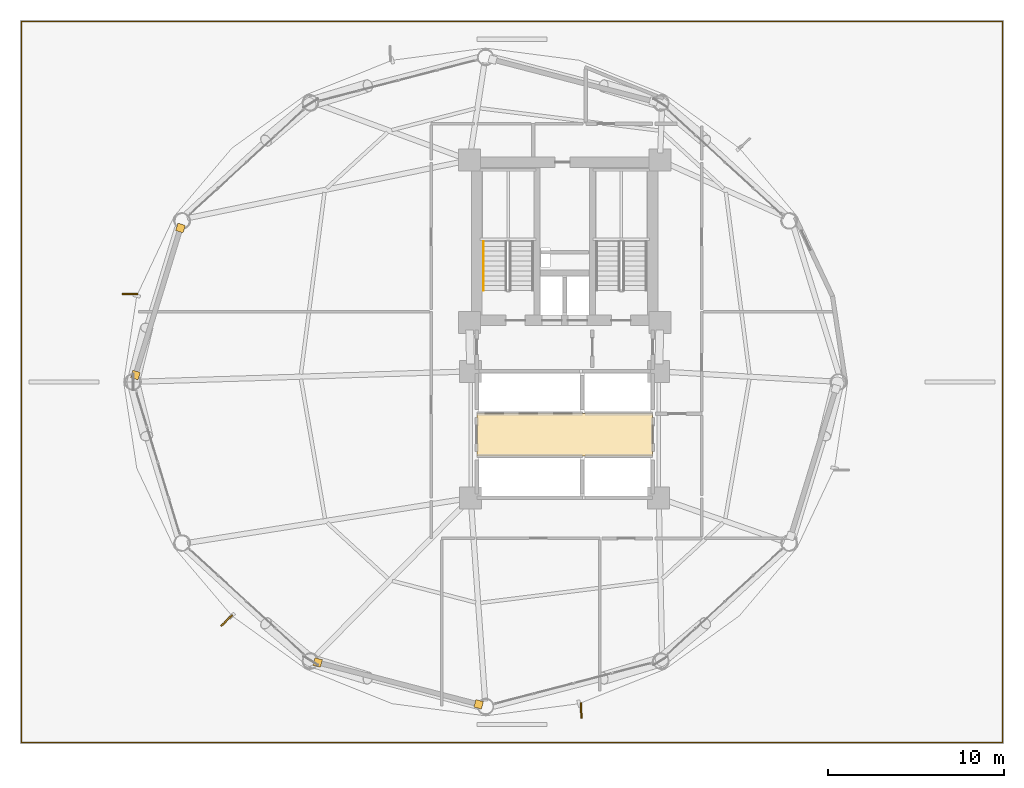
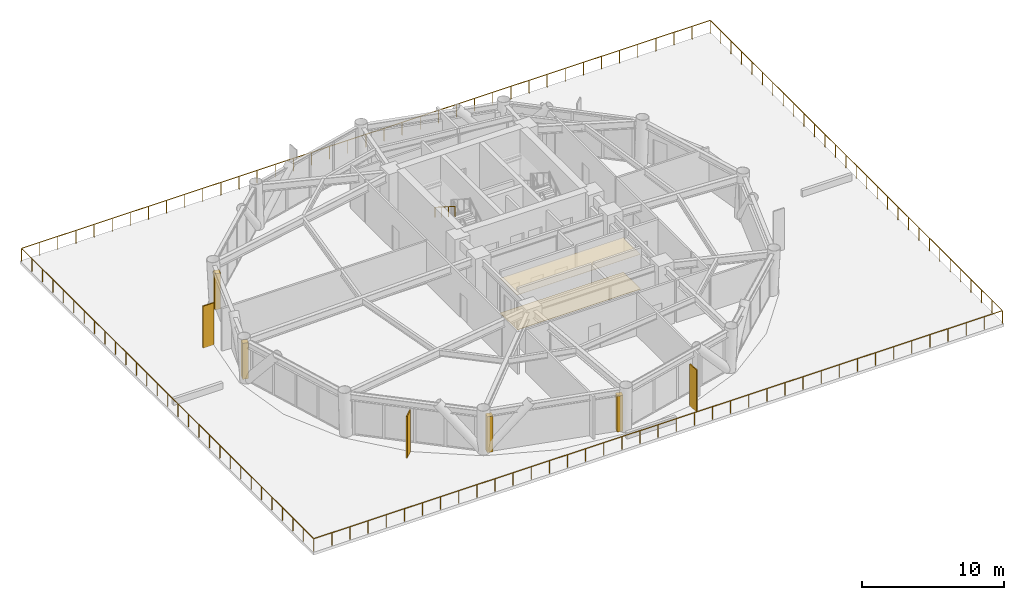
# One storey, part 22 of 24: 6 coverings, 3 shading devices, 2 railings.
"""IFC4 building model written with IfcOpenShell, lengths in metres."""

from ifc_helpers import new_model, si_unit, direction, frame, origin, origin_2d, place, context, subcontext, project, spatial, polyline, rectangle, outline, extrude, source, transform, mapped, material, layer, layer_set, type_object, type_shapes, element, save


model = new_model("IFC4")

# Units and contexts
model_context = context("Model", 3, precision=1e-05, world=origin(), true_north=direction((0.0, 1.0)))
body_context = subcontext(model_context, "Body", "Model", "MODEL_VIEW")
ifc_project = project(units=[si_unit("LENGTHUNIT", "METRE"), si_unit("AREAUNIT", "SQUARE_METRE"), si_unit("VOLUMEUNIT", "CUBIC_METRE"), si_unit("PLANEANGLEUNIT", "RADIAN"), si_unit("MASSUNIT", "GRAM", prefix="KILO")], contexts=[model_context])

# Site, building, storey
site_placement = place(None, origin())
site = spatial("IfcSite", under=ifc_project, at=site_placement, CompositionType="ELEMENT")
building_placement = place(site_placement, origin())
building = spatial("IfcBuilding", under=site, at=building_placement, Name="Varnakorn Sky Granary", CompositionType="ELEMENT")
storey_placement = place(building_placement, frame((0.0, 0.0, 27.60009765625)))
storey = spatial("IfcBuildingStorey", under=building, at=storey_placement, Name="L06", CompositionType="ELEMENT", Elevation=27.60009765625)

# Coverings
ifc_material_1 = material(Name="Perforated Acoustic Mineral-Fibre Ceiling", Category="gypsum")
ifc_layer_1 = layer(ifc_material_1, 0.02001953125, Name="Perforated Acoustic Mineral-Fibre Ceiling")
ifc_layer_set_1 = layer_set([ifc_layer_1], Name="Perforated Acoustic Mineral-Fibre Ceiling")
covering_type_1 = type_object("IfcCoveringType", Name="CV-CEIL-20", PredefinedType="CEILING", material=ifc_layer_set_1)
covering_1_placement = place(storey_placement, frame((0.0, 0.0, 2.989990234375)))
element("IfcCovering", 1, at=covering_1_placement, inside=storey, type_object=covering_type_1, Name="Lift Lobby Perforated Acoustic Ceiling L06", PredefinedType="CEILING", context=body_context, shape_type="SweptSolid", body=[
    extrude(outline(polyline([(-2.0, -4.199951171875), (8.0, -4.199951171875), (8.0, -1.800048828125), (-2.0, -1.800048828125), (-2.0, -4.199951171875)])), origin(), (0.0, 0.0, 1.0), 0.02001953125),
])
ifc_material_2 = material(Name="Honed Epoxy Terrazzo Topping", Category="concrete")
ifc_layer_2 = layer(ifc_material_2, 0.030029296875, Name="Honed Epoxy Terrazzo Topping")
ifc_layer_set_2 = layer_set([ifc_layer_2], Name="Honed Epoxy Terrazzo Topping")
covering_type_2 = type_object("IfcCoveringType", Name="CV-FLOR-30", PredefinedType="FLOORING", material=ifc_layer_set_2)
covering_2_placement = place(storey_placement, origin())
element("IfcCovering", 2, at=covering_2_placement, inside=storey, type_object=covering_type_2, Name="Lift Lobby Terrazzo Floor Finish L06", PredefinedType="FLOORING", context=body_context, shape_type="SweptSolid", body=[
    extrude(outline(polyline([(-2.0, -4.199951171875), (8.0, -4.199951171875), (8.0, -1.800048828125), (-2.0, -1.800048828125), (-2.0, -4.199951171875)])), origin(), (0.0, 0.0, 1.0), 0.02978515625),
])

# Railings
ifc_material_3 = material(Name="Anodised Bronze Aluminium Alloy 6063-T6", Category="aluminium")
railing_type_1 = type_object("IfcRailingType", Name="RL-BAL-1120", PredefinedType="BALUSTRADE", material=ifc_material_3)
railing_1_placement = place(storey_placement, frame((-27.919921875, -20.52001953125, 0.0)))
element("IfcRailing", 3, at=railing_1_placement, inside=storey, type_object=railing_type_1, Name="Podium Roof Terrace Guard Balustrade L06", PredefinedType="BALUSTRADE", context=body_context, shape_type="SweptSolid", body=[
    extrude(rectangle(XDim=0.048095703125, YDim=0.048095703125, at=origin_2d()), frame((0.028076171875, 0.0, 1.09619140625), z_axis=(1.0, 0.0, 0.0), x_axis=(0.0, 1.0, 0.0)), (0.0, 0.0, 1.0), 55.783935546875),
    extrude(rectangle(XDim=0.048095703125, YDim=0.048095703125, at=origin_2d()), frame((55.83984375, 0.028076171875, 1.09619140625), z_axis=(0.0, 1.0, 0.0), x_axis=(-1.0, 0.0, 0.0)), (0.0, 0.0, 1.0), 40.984130859375),
    extrude(rectangle(XDim=0.048095703125, YDim=0.048095703125, at=origin_2d()), frame((55.811767578125, 41.0400390625, 1.09619140625), z_axis=(-1.0, 0.0, 0.0), x_axis=(0.0, -1.0, 0.0)), (0.0, 0.0, 1.0), 55.783935546875),
    extrude(rectangle(XDim=0.048095703125, YDim=0.048095703125, at=origin_2d()), frame((0.0, 41.011962890625, 1.09619140625), z_axis=(0.0, -1.0, 0.0), x_axis=(1.0, 0.0, 0.0)), (0.0, 0.0, 1.0), 40.984130859375),
    extrude(rectangle(XDim=0.0419921875, YDim=0.0419921875, at=origin_2d()), origin(), (0.0, 0.0, 1.0), 1.068115234375),
    extrude(rectangle(XDim=0.0419921875, YDim=0.0419921875, at=origin_2d()), frame((1.469482421875, 0.0, 0.0)), (0.0, 0.0, 1.0), 1.068115234375),
    extrude(rectangle(XDim=0.0419921875, YDim=0.0419921875, at=origin_2d()), frame((2.93896484375, 0.0, 0.0)), (0.0, 0.0, 1.0), 1.068115234375),
    extrude(rectangle(XDim=0.0419921875, YDim=0.0419921875, at=origin_2d()), frame((4.408447265625, 0.0, 0.0)), (0.0, 0.0, 1.0), 1.068115234375),
    extrude(rectangle(XDim=0.0419921875, YDim=0.0419921875, at=origin_2d()), frame((5.8779296875, 0.0, 0.0)), (0.0, 0.0, 1.0), 1.068115234375),
    extrude(rectangle(XDim=0.0419921875, YDim=0.0419921875, at=origin_2d()), frame((7.347412109375, 0.0, 0.0)), (0.0, 0.0, 1.0), 1.068115234375),
    extrude(rectangle(XDim=0.0419921875, YDim=0.0419921875, at=origin_2d()), frame((8.81689453125, 0.0, 0.0)), (0.0, 0.0, 1.0), 1.068115234375),
    extrude(rectangle(XDim=0.0419921875, YDim=0.0419921875, at=origin_2d()), frame((10.286376953125, 0.0, 0.0)), (0.0, 0.0, 1.0), 1.068115234375),
    extrude(rectangle(XDim=0.0419921875, YDim=0.0419921875, at=origin_2d()), frame((11.755859375, 0.0, 0.0)), (0.0, 0.0, 1.0), 1.068115234375),
    extrude(rectangle(XDim=0.0419921875, YDim=0.0419921875, at=origin_2d()), frame((13.225341796875, 0.0, 0.0)), (0.0, 0.0, 1.0), 1.068115234375),
    extrude(rectangle(XDim=0.0419921875, YDim=0.0419921875, at=origin_2d()), frame((14.694580078125, 0.0, 0.0)), (0.0, 0.0, 1.0), 1.068115234375),
    extrude(rectangle(XDim=0.0419921875, YDim=0.0419921875, at=origin_2d()), frame((16.1640625, 0.0, 0.0)), (0.0, 0.0, 1.0), 1.068115234375),
    extrude(rectangle(XDim=0.0419921875, YDim=0.0419921875, at=origin_2d()), frame((17.633544921875, 0.0, 0.0)), (0.0, 0.0, 1.0), 1.068115234375),
    extrude(rectangle(XDim=0.0419921875, YDim=0.0419921875, at=origin_2d()), frame((19.10302734375, 0.0, 0.0)), (0.0, 0.0, 1.0), 1.068115234375),
    extrude(rectangle(XDim=0.0419921875, YDim=0.0419921875, at=origin_2d()), frame((20.572509765625, 0.0, 0.0)), (0.0, 0.0, 1.0), 1.068115234375),
    extrude(rectangle(XDim=0.0419921875, YDim=0.0419921875, at=origin_2d()), frame((22.0419921875, 0.0, 0.0)), (0.0, 0.0, 1.0), 1.068115234375),
    extrude(rectangle(XDim=0.0419921875, YDim=0.0419921875, at=origin_2d()), frame((23.511474609375, 0.0, 0.0)), (0.0, 0.0, 1.0), 1.068115234375),
    extrude(rectangle(XDim=0.0419921875, YDim=0.0419921875, at=origin_2d()), frame((24.98095703125, 0.0, 0.0)), (0.0, 0.0, 1.0), 1.068115234375),
    extrude(rectangle(XDim=0.0419921875, YDim=0.0419921875, at=origin_2d()), frame((26.450439453125, 0.0, 0.0)), (0.0, 0.0, 1.0), 1.068115234375),
    extrude(rectangle(XDim=0.0419921875, YDim=0.0419921875, at=origin_2d()), frame((27.919921875, 0.0, 0.0)), (0.0, 0.0, 1.0), 1.068115234375),
    extrude(rectangle(XDim=0.0419921875, YDim=0.0419921875, at=origin_2d()), frame((29.389404296875, 0.0, 0.0)), (0.0, 0.0, 1.0), 1.068115234375),
    extrude(rectangle(XDim=0.0419921875, YDim=0.0419921875, at=origin_2d()), frame((30.85888671875, 0.0, 0.0)), (0.0, 0.0, 1.0), 1.068115234375),
    extrude(rectangle(XDim=0.0419921875, YDim=0.0419921875, at=origin_2d()), frame((32.328369140625, 0.0, 0.0)), (0.0, 0.0, 1.0), 1.068115234375),
    extrude(rectangle(XDim=0.0419921875, YDim=0.0419921875, at=origin_2d()), frame((33.7978515625, 0.0, 0.0)), (0.0, 0.0, 1.0), 1.068115234375),
    extrude(rectangle(XDim=0.0419921875, YDim=0.0419921875, at=origin_2d()), frame((35.267333984375, 0.0, 0.0)), (0.0, 0.0, 1.0), 1.068115234375),
    extrude(rectangle(XDim=0.0419921875, YDim=0.0419921875, at=origin_2d()), frame((36.73681640625, 0.0, 0.0)), (0.0, 0.0, 1.0), 1.068115234375),
    extrude(rectangle(XDim=0.0419921875, YDim=0.0419921875, at=origin_2d()), frame((38.206298828125, 0.0, 0.0)), (0.0, 0.0, 1.0), 1.068115234375),
    extrude(rectangle(XDim=0.0419921875, YDim=0.0419921875, at=origin_2d()), frame((39.67578125, 0.0, 0.0)), (0.0, 0.0, 1.0), 1.068115234375),
    extrude(rectangle(XDim=0.0419921875, YDim=0.0419921875, at=origin_2d()), frame((41.145263671875, 0.0, 0.0)), (0.0, 0.0, 1.0), 1.068115234375),
    extrude(rectangle(XDim=0.0419921875, YDim=0.0419921875, at=origin_2d()), frame((42.614501953125, 0.0, 0.0)), (0.0, 0.0, 1.0), 1.068115234375),
    extrude(rectangle(XDim=0.0419921875, YDim=0.0419921875, at=origin_2d()), frame((44.083984375, 0.0, 0.0)), (0.0, 0.0, 1.0), 1.068115234375),
    extrude(rectangle(XDim=0.0419921875, YDim=0.0419921875, at=origin_2d()), frame((45.553466796875, 0.0, 0.0)), (0.0, 0.0, 1.0), 1.068115234375),
    extrude(rectangle(XDim=0.0419921875, YDim=0.0419921875, at=origin_2d()), frame((47.02294921875, 0.0, 0.0)), (0.0, 0.0, 1.0), 1.068115234375),
    extrude(rectangle(XDim=0.0419921875, YDim=0.0419921875, at=origin_2d()), frame((48.492431640625, 0.0, 0.0)), (0.0, 0.0, 1.0), 1.068115234375),
    extrude(rectangle(XDim=0.0419921875, YDim=0.0419921875, at=origin_2d()), frame((49.9619140625, 0.0, 0.0)), (0.0, 0.0, 1.0), 1.068115234375),
    extrude(rectangle(XDim=0.0419921875, YDim=0.0419921875, at=origin_2d()), frame((51.431396484375, 0.0, 0.0)), (0.0, 0.0, 1.0), 1.068115234375),
    extrude(rectangle(XDim=0.0419921875, YDim=0.0419921875, at=origin_2d()), frame((52.90087890625, 0.0, 0.0)), (0.0, 0.0, 1.0), 1.068115234375),
    extrude(rectangle(XDim=0.0419921875, YDim=0.0419921875, at=origin_2d()), frame((54.370361328125, 0.0, 0.0)), (0.0, 0.0, 1.0), 1.068115234375),
    extrude(rectangle(XDim=0.0419921875, YDim=0.0419921875, at=origin_2d()), frame((55.83984375, 0.0, 0.0)), (0.0, 0.0, 1.0), 1.068115234375),
    extrude(rectangle(XDim=0.0419921875, YDim=0.0419921875, at=origin_2d()), frame((55.83984375, 1.4658203125, 0.0)), (0.0, 0.0, 1.0), 1.068115234375),
    extrude(rectangle(XDim=0.0419921875, YDim=0.0419921875, at=origin_2d()), frame((55.83984375, 2.931396484375, 0.0)), (0.0, 0.0, 1.0), 1.068115234375),
    extrude(rectangle(XDim=0.0419921875, YDim=0.0419921875, at=origin_2d()), frame((55.83984375, 4.397216796875, 0.0)), (0.0, 0.0, 1.0), 1.068115234375),
    extrude(rectangle(XDim=0.0419921875, YDim=0.0419921875, at=origin_2d()), frame((55.83984375, 5.86279296875, 0.0)), (0.0, 0.0, 1.0), 1.068115234375),
    extrude(rectangle(XDim=0.0419921875, YDim=0.0419921875, at=origin_2d()), frame((55.83984375, 7.32861328125, 0.0)), (0.0, 0.0, 1.0), 1.068115234375),
    extrude(rectangle(XDim=0.0419921875, YDim=0.0419921875, at=origin_2d()), frame((55.83984375, 8.794189453125, 0.0)), (0.0, 0.0, 1.0), 1.068115234375),
    extrude(rectangle(XDim=0.0419921875, YDim=0.0419921875, at=origin_2d()), frame((55.83984375, 10.260009765625, 0.0)), (0.0, 0.0, 1.0), 1.068115234375),
    extrude(rectangle(XDim=0.0419921875, YDim=0.0419921875, at=origin_2d()), frame((55.83984375, 11.725830078125, 0.0)), (0.0, 0.0, 1.0), 1.068115234375),
    extrude(rectangle(XDim=0.0419921875, YDim=0.0419921875, at=origin_2d()), frame((55.83984375, 13.19140625, 0.0)), (0.0, 0.0, 1.0), 1.068115234375),
    extrude(rectangle(XDim=0.0419921875, YDim=0.0419921875, at=origin_2d()), frame((55.83984375, 14.6572265625, 0.0)), (0.0, 0.0, 1.0), 1.068115234375),
    extrude(rectangle(XDim=0.0419921875, YDim=0.0419921875, at=origin_2d()), frame((55.83984375, 16.122802734375, 0.0)), (0.0, 0.0, 1.0), 1.068115234375),
    extrude(rectangle(XDim=0.0419921875, YDim=0.0419921875, at=origin_2d()), frame((55.83984375, 17.588623046875, 0.0)), (0.0, 0.0, 1.0), 1.068115234375),
    extrude(rectangle(XDim=0.0419921875, YDim=0.0419921875, at=origin_2d()), frame((55.83984375, 19.05419921875, 0.0)), (0.0, 0.0, 1.0), 1.068115234375),
    extrude(rectangle(XDim=0.0419921875, YDim=0.0419921875, at=origin_2d()), frame((55.83984375, 20.52001953125, 0.0)), (0.0, 0.0, 1.0), 1.068115234375),
    extrude(rectangle(XDim=0.0419921875, YDim=0.0419921875, at=origin_2d()), frame((55.83984375, 21.98583984375, 0.0)), (0.0, 0.0, 1.0), 1.068115234375),
    extrude(rectangle(XDim=0.0419921875, YDim=0.0419921875, at=origin_2d()), frame((55.83984375, 23.451416015625, 0.0)), (0.0, 0.0, 1.0), 1.068115234375),
    extrude(rectangle(XDim=0.0419921875, YDim=0.0419921875, at=origin_2d()), frame((55.83984375, 24.917236328125, 0.0)), (0.0, 0.0, 1.0), 1.068115234375),
    extrude(rectangle(XDim=0.0419921875, YDim=0.0419921875, at=origin_2d()), frame((55.83984375, 26.3828125, 0.0)), (0.0, 0.0, 1.0), 1.068115234375),
    extrude(rectangle(XDim=0.0419921875, YDim=0.0419921875, at=origin_2d()), frame((55.83984375, 27.8486328125, 0.0)), (0.0, 0.0, 1.0), 1.068115234375),
    extrude(rectangle(XDim=0.0419921875, YDim=0.0419921875, at=origin_2d()), frame((55.83984375, 29.314208984375, 0.0)), (0.0, 0.0, 1.0), 1.068115234375),
    extrude(rectangle(XDim=0.0419921875, YDim=0.0419921875, at=origin_2d()), frame((55.83984375, 30.780029296875, 0.0)), (0.0, 0.0, 1.0), 1.068115234375),
    extrude(rectangle(XDim=0.0419921875, YDim=0.0419921875, at=origin_2d()), frame((55.83984375, 32.245849609375, 0.0)), (0.0, 0.0, 1.0), 1.068115234375),
    extrude(rectangle(XDim=0.0419921875, YDim=0.0419921875, at=origin_2d()), frame((55.83984375, 33.71142578125, 0.0)), (0.0, 0.0, 1.0), 1.068115234375),
    extrude(rectangle(XDim=0.0419921875, YDim=0.0419921875, at=origin_2d()), frame((55.83984375, 35.17724609375, 0.0)), (0.0, 0.0, 1.0), 1.068115234375),
    extrude(rectangle(XDim=0.0419921875, YDim=0.0419921875, at=origin_2d()), frame((55.83984375, 36.642822265625, 0.0)), (0.0, 0.0, 1.0), 1.068115234375),
    extrude(rectangle(XDim=0.0419921875, YDim=0.0419921875, at=origin_2d()), frame((55.83984375, 38.108642578125, 0.0)), (0.0, 0.0, 1.0), 1.068115234375),
    extrude(rectangle(XDim=0.0419921875, YDim=0.0419921875, at=origin_2d()), frame((55.83984375, 39.57421875, 0.0)), (0.0, 0.0, 1.0), 1.068115234375),
    extrude(rectangle(XDim=0.0419921875, YDim=0.0419921875, at=origin_2d()), frame((55.83984375, 41.0400390625, 0.0)), (0.0, 0.0, 1.0), 1.068115234375),
    extrude(rectangle(XDim=0.0419921875, YDim=0.0419921875, at=origin_2d()), frame((54.370361328125, 41.0400390625, 0.0)), (0.0, 0.0, 1.0), 1.068115234375),
    extrude(rectangle(XDim=0.0419921875, YDim=0.0419921875, at=origin_2d()), frame((52.90087890625, 41.0400390625, 0.0)), (0.0, 0.0, 1.0), 1.068115234375),
    extrude(rectangle(XDim=0.0419921875, YDim=0.0419921875, at=origin_2d()), frame((51.431396484375, 41.0400390625, 0.0)), (0.0, 0.0, 1.0), 1.068115234375),
    extrude(rectangle(XDim=0.0419921875, YDim=0.0419921875, at=origin_2d()), frame((49.9619140625, 41.0400390625, 0.0)), (0.0, 0.0, 1.0), 1.068115234375),
    extrude(rectangle(XDim=0.0419921875, YDim=0.0419921875, at=origin_2d()), frame((48.492431640625, 41.0400390625, 0.0)), (0.0, 0.0, 1.0), 1.068115234375),
    extrude(rectangle(XDim=0.0419921875, YDim=0.0419921875, at=origin_2d()), frame((47.02294921875, 41.0400390625, 0.0)), (0.0, 0.0, 1.0), 1.068115234375),
    extrude(rectangle(XDim=0.0419921875, YDim=0.0419921875, at=origin_2d()), frame((45.553466796875, 41.0400390625, 0.0)), (0.0, 0.0, 1.0), 1.068115234375),
    extrude(rectangle(XDim=0.0419921875, YDim=0.0419921875, at=origin_2d()), frame((44.083984375, 41.0400390625, 0.0)), (0.0, 0.0, 1.0), 1.068115234375),
    extrude(rectangle(XDim=0.0419921875, YDim=0.0419921875, at=origin_2d()), frame((42.614501953125, 41.0400390625, 0.0)), (0.0, 0.0, 1.0), 1.068115234375),
    extrude(rectangle(XDim=0.0419921875, YDim=0.0419921875, at=origin_2d()), frame((41.145263671875, 41.0400390625, 0.0)), (0.0, 0.0, 1.0), 1.068115234375),
    extrude(rectangle(XDim=0.0419921875, YDim=0.0419921875, at=origin_2d()), frame((39.67578125, 41.0400390625, 0.0)), (0.0, 0.0, 1.0), 1.068115234375),
    extrude(rectangle(XDim=0.0419921875, YDim=0.0419921875, at=origin_2d()), frame((38.206298828125, 41.0400390625, 0.0)), (0.0, 0.0, 1.0), 1.068115234375),
    extrude(rectangle(XDim=0.0419921875, YDim=0.0419921875, at=origin_2d()), frame((36.73681640625, 41.0400390625, 0.0)), (0.0, 0.0, 1.0), 1.068115234375),
    extrude(rectangle(XDim=0.0419921875, YDim=0.0419921875, at=origin_2d()), frame((35.267333984375, 41.0400390625, 0.0)), (0.0, 0.0, 1.0), 1.068115234375),
    extrude(rectangle(XDim=0.0419921875, YDim=0.0419921875, at=origin_2d()), frame((33.7978515625, 41.0400390625, 0.0)), (0.0, 0.0, 1.0), 1.068115234375),
    extrude(rectangle(XDim=0.0419921875, YDim=0.0419921875, at=origin_2d()), frame((32.328369140625, 41.0400390625, 0.0)), (0.0, 0.0, 1.0), 1.068115234375),
    extrude(rectangle(XDim=0.0419921875, YDim=0.0419921875, at=origin_2d()), frame((30.85888671875, 41.0400390625, 0.0)), (0.0, 0.0, 1.0), 1.068115234375),
    extrude(rectangle(XDim=0.0419921875, YDim=0.0419921875, at=origin_2d()), frame((29.389404296875, 41.0400390625, 0.0)), (0.0, 0.0, 1.0), 1.068115234375),
    extrude(rectangle(XDim=0.0419921875, YDim=0.0419921875, at=origin_2d()), frame((27.919921875, 41.0400390625, 0.0)), (0.0, 0.0, 1.0), 1.068115234375),
    extrude(rectangle(XDim=0.0419921875, YDim=0.0419921875, at=origin_2d()), frame((26.450439453125, 41.0400390625, 0.0)), (0.0, 0.0, 1.0), 1.068115234375),
    extrude(rectangle(XDim=0.0419921875, YDim=0.0419921875, at=origin_2d()), frame((24.98095703125, 41.0400390625, 0.0)), (0.0, 0.0, 1.0), 1.068115234375),
    extrude(rectangle(XDim=0.0419921875, YDim=0.0419921875, at=origin_2d()), frame((23.511474609375, 41.0400390625, 0.0)), (0.0, 0.0, 1.0), 1.068115234375),
    extrude(rectangle(XDim=0.0419921875, YDim=0.0419921875, at=origin_2d()), frame((22.0419921875, 41.0400390625, 0.0)), (0.0, 0.0, 1.0), 1.068115234375),
    extrude(rectangle(XDim=0.0419921875, YDim=0.0419921875, at=origin_2d()), frame((20.572509765625, 41.0400390625, 0.0)), (0.0, 0.0, 1.0), 1.068115234375),
    extrude(rectangle(XDim=0.0419921875, YDim=0.0419921875, at=origin_2d()), frame((19.10302734375, 41.0400390625, 0.0)), (0.0, 0.0, 1.0), 1.068115234375),
    extrude(rectangle(XDim=0.0419921875, YDim=0.0419921875, at=origin_2d()), frame((17.633544921875, 41.0400390625, 0.0)), (0.0, 0.0, 1.0), 1.068115234375),
    extrude(rectangle(XDim=0.0419921875, YDim=0.0419921875, at=origin_2d()), frame((16.1640625, 41.0400390625, 0.0)), (0.0, 0.0, 1.0), 1.068115234375),
    extrude(rectangle(XDim=0.0419921875, YDim=0.0419921875, at=origin_2d()), frame((14.694580078125, 41.0400390625, 0.0)), (0.0, 0.0, 1.0), 1.068115234375),
    extrude(rectangle(XDim=0.0419921875, YDim=0.0419921875, at=origin_2d()), frame((13.225341796875, 41.0400390625, 0.0)), (0.0, 0.0, 1.0), 1.068115234375),
    extrude(rectangle(XDim=0.0419921875, YDim=0.0419921875, at=origin_2d()), frame((11.755859375, 41.0400390625, 0.0)), (0.0, 0.0, 1.0), 1.068115234375),
    extrude(rectangle(XDim=0.0419921875, YDim=0.0419921875, at=origin_2d()), frame((10.286376953125, 41.0400390625, 0.0)), (0.0, 0.0, 1.0), 1.068115234375),
    extrude(rectangle(XDim=0.0419921875, YDim=0.0419921875, at=origin_2d()), frame((8.81689453125, 41.0400390625, 0.0)), (0.0, 0.0, 1.0), 1.068115234375),
    extrude(rectangle(XDim=0.0419921875, YDim=0.0419921875, at=origin_2d()), frame((7.347412109375, 41.0400390625, 0.0)), (0.0, 0.0, 1.0), 1.068115234375),
    extrude(rectangle(XDim=0.0419921875, YDim=0.0419921875, at=origin_2d()), frame((5.8779296875, 41.0400390625, 0.0)), (0.0, 0.0, 1.0), 1.068115234375),
    extrude(rectangle(XDim=0.0419921875, YDim=0.0419921875, at=origin_2d()), frame((4.408447265625, 41.0400390625, 0.0)), (0.0, 0.0, 1.0), 1.068115234375),
    extrude(rectangle(XDim=0.0419921875, YDim=0.0419921875, at=origin_2d()), frame((2.93896484375, 41.0400390625, 0.0)), (0.0, 0.0, 1.0), 1.068115234375),
    extrude(rectangle(XDim=0.0419921875, YDim=0.0419921875, at=origin_2d()), frame((1.469482421875, 41.0400390625, 0.0)), (0.0, 0.0, 1.0), 1.068115234375),
    extrude(rectangle(XDim=0.0419921875, YDim=0.0419921875, at=origin_2d()), frame((0.0, 41.0400390625, 0.0)), (0.0, 0.0, 1.0), 1.068115234375),
    extrude(rectangle(XDim=0.0419921875, YDim=0.0419921875, at=origin_2d()), frame((0.0, 39.57421875, 0.0)), (0.0, 0.0, 1.0), 1.068115234375),
    extrude(rectangle(XDim=0.0419921875, YDim=0.0419921875, at=origin_2d()), frame((0.0, 38.108642578125, 0.0)), (0.0, 0.0, 1.0), 1.068115234375),
    extrude(rectangle(XDim=0.0419921875, YDim=0.0419921875, at=origin_2d()), frame((0.0, 36.642822265625, 0.0)), (0.0, 0.0, 1.0), 1.068115234375),
    extrude(rectangle(XDim=0.0419921875, YDim=0.0419921875, at=origin_2d()), frame((0.0, 35.17724609375, 0.0)), (0.0, 0.0, 1.0), 1.068115234375),
    extrude(rectangle(XDim=0.0419921875, YDim=0.0419921875, at=origin_2d()), frame((0.0, 33.71142578125, 0.0)), (0.0, 0.0, 1.0), 1.068115234375),
    extrude(rectangle(XDim=0.0419921875, YDim=0.0419921875, at=origin_2d()), frame((0.0, 32.245849609375, 0.0)), (0.0, 0.0, 1.0), 1.068115234375),
    extrude(rectangle(XDim=0.0419921875, YDim=0.0419921875, at=origin_2d()), frame((0.0, 30.780029296875, 0.0)), (0.0, 0.0, 1.0), 1.068115234375),
    extrude(rectangle(XDim=0.0419921875, YDim=0.0419921875, at=origin_2d()), frame((0.0, 29.314208984375, 0.0)), (0.0, 0.0, 1.0), 1.068115234375),
    extrude(rectangle(XDim=0.0419921875, YDim=0.0419921875, at=origin_2d()), frame((0.0, 27.8486328125, 0.0)), (0.0, 0.0, 1.0), 1.068115234375),
    extrude(rectangle(XDim=0.0419921875, YDim=0.0419921875, at=origin_2d()), frame((0.0, 26.3828125, 0.0)), (0.0, 0.0, 1.0), 1.068115234375),
    extrude(rectangle(XDim=0.0419921875, YDim=0.0419921875, at=origin_2d()), frame((0.0, 24.917236328125, 0.0)), (0.0, 0.0, 1.0), 1.068115234375),
    extrude(rectangle(XDim=0.0419921875, YDim=0.0419921875, at=origin_2d()), frame((0.0, 23.451416015625, 0.0)), (0.0, 0.0, 1.0), 1.068115234375),
    extrude(rectangle(XDim=0.0419921875, YDim=0.0419921875, at=origin_2d()), frame((0.0, 21.98583984375, 0.0)), (0.0, 0.0, 1.0), 1.068115234375),
    extrude(rectangle(XDim=0.0419921875, YDim=0.0419921875, at=origin_2d()), frame((0.0, 20.52001953125, 0.0)), (0.0, 0.0, 1.0), 1.068115234375),
    extrude(rectangle(XDim=0.0419921875, YDim=0.0419921875, at=origin_2d()), frame((0.0, 19.05419921875, 0.0)), (0.0, 0.0, 1.0), 1.068115234375),
    extrude(rectangle(XDim=0.0419921875, YDim=0.0419921875, at=origin_2d()), frame((0.0, 17.588623046875, 0.0)), (0.0, 0.0, 1.0), 1.068115234375),
    extrude(rectangle(XDim=0.0419921875, YDim=0.0419921875, at=origin_2d()), frame((0.0, 16.122802734375, 0.0)), (0.0, 0.0, 1.0), 1.068115234375),
    extrude(rectangle(XDim=0.0419921875, YDim=0.0419921875, at=origin_2d()), frame((0.0, 14.6572265625, 0.0)), (0.0, 0.0, 1.0), 1.068115234375),
    extrude(rectangle(XDim=0.0419921875, YDim=0.0419921875, at=origin_2d()), frame((0.0, 13.19140625, 0.0)), (0.0, 0.0, 1.0), 1.068115234375),
    extrude(rectangle(XDim=0.0419921875, YDim=0.0419921875, at=origin_2d()), frame((0.0, 11.725830078125, 0.0)), (0.0, 0.0, 1.0), 1.068115234375),
    extrude(rectangle(XDim=0.0419921875, YDim=0.0419921875, at=origin_2d()), frame((0.0, 10.260009765625, 0.0)), (0.0, 0.0, 1.0), 1.068115234375),
    extrude(rectangle(XDim=0.0419921875, YDim=0.0419921875, at=origin_2d()), frame((0.0, 8.794189453125, 0.0)), (0.0, 0.0, 1.0), 1.068115234375),
    extrude(rectangle(XDim=0.0419921875, YDim=0.0419921875, at=origin_2d()), frame((0.0, 7.32861328125, 0.0)), (0.0, 0.0, 1.0), 1.068115234375),
    extrude(rectangle(XDim=0.0419921875, YDim=0.0419921875, at=origin_2d()), frame((0.0, 5.86279296875, 0.0)), (0.0, 0.0, 1.0), 1.068115234375),
    extrude(rectangle(XDim=0.0419921875, YDim=0.0419921875, at=origin_2d()), frame((0.0, 4.397216796875, 0.0)), (0.0, 0.0, 1.0), 1.068115234375),
    extrude(rectangle(XDim=0.0419921875, YDim=0.0419921875, at=origin_2d()), frame((0.0, 2.931396484375, 0.0)), (0.0, 0.0, 1.0), 1.068115234375),
    extrude(rectangle(XDim=0.0419921875, YDim=0.0419921875, at=origin_2d()), frame((0.0, 1.4658203125, 0.0)), (0.0, 0.0, 1.0), 1.068115234375),
])
ifc_material_4 = material(Name="Brushed Stainless Steel 316", Category="steel")
railing_type_2 = type_object("IfcRailingType", Name="RL-STAIR-920", PredefinedType="HANDRAIL", material=ifc_material_4)
railing_2_placement = place(storey_placement, frame((-1.6201171875, 8.0, 2.127197265625)))
element("IfcRailing", 4, at=railing_2_placement, inside=storey, type_object=railing_type_2, Name="L06 ST-1 stair handrail 2", PredefinedType="HANDRAIL", context=body_context, shape_type="SweptSolid", body=[
    extrude(rectangle(XDim=0.048095703125, YDim=0.048095703125, at=origin_2d()), frame((0.0, 0.0, 0.8759765625), z_axis=(0.0, -0.844908973607, 0.534910110503), x_axis=(1.0, 0.0, 0.0)), (0.0, 0.0, 1.0), 3.31396484375),
    extrude(rectangle(XDim=0.0419921875, YDim=0.0419921875, at=origin_2d()), origin(), (0.0, 0.0, 1.0), 0.847900390625),
    extrude(rectangle(XDim=0.0419921875, YDim=0.0419921875, at=origin_2d()), frame((0.0, -0.933349609375, 0.5908203125)), (0.0, 0.0, 1.0), 0.847900390625),
    extrude(rectangle(XDim=0.0419921875, YDim=0.0419921875, at=origin_2d()), frame((0.0, -1.86669921875, 1.181884765625)), (0.0, 0.0, 1.0), 0.847900390625),
    extrude(rectangle(XDim=0.0419921875, YDim=0.0419921875, at=origin_2d()), frame((0.0, -2.800048828125, 1.772705078125)), (0.0, 0.0, 1.0), 0.847900390625),
])

# Shading devices
shading_device_type = type_object("IfcShadingDeviceType", Name="SH-FIN-01", PredefinedType="USERDEFINED", material=ifc_material_3)
shared_shape_1 = source(origin(), body_context, "Body", "SweptSolid", [
    extrude(rectangle(XDim=0.0849609375, YDim=0.8798828125, at=origin_2d()), origin(), (0.0, 0.0, 1.0), 3.60009765625),
])
type_shapes(shading_device_type, [shared_shape_1])
for number, where, z_axis, x_axis, name in (
    (5, (-21.743408203125, 4.99951171875, -0.0400390625), (0.0, 0.0, 1.0), (0.005018563312, -0.999987406932, 0.0), "Bronze Solar-Tracking Vertical Blade FIN L06-06"),
    (6, (-16.23681640625, -13.5751953125, -0.0400390625), (0.0, 0.0, 1.0), (0.69417247132, -0.719808710743, 0.0), "Bronze Solar-Tracking Vertical Blade FIN L06-08"),
    (7, (3.93408203125, -18.6923828125, -0.0400390625), (0.0, 0.0, 1.0), (0.998886968658, 0.047168038391, 0.0), "Bronze Solar-Tracking Vertical Blade FIN L06-10"),
):
    element("IfcShadingDevice", number, at=place(storey_placement, frame(where, z_axis=z_axis, x_axis=x_axis)), inside=storey, type_object=shading_device_type, Name=name, ObjectType="FIN", PredefinedType="USERDEFINED", context=body_context, shape_type="MappedRepresentation", body=[
        mapped(shared_shape_1, transform((0.0, 0.0, 0.0), x_axis=(1.0, 0.0, 0.0), y_axis=(0.0, 1.0, 0.0), z_axis=(0.0, 0.0, 1.0), scale=1.0)),
    ])

# Coverings
ifc_layer_3 = layer(ifc_material_3, 0.050048828125, Name="Anodised Bronze Aluminium Alloy 6063-T6")
ifc_layer_set_3 = layer_set([ifc_layer_3], Name="Anodised Bronze Aluminium Alloy 6063-T6")
covering_type_3 = type_object("IfcCoveringType", Name="CV-CLAD-50", PredefinedType="CLADDING", material=ifc_layer_set_3)
shared_shape_2 = source(origin(), body_context, "Body", "SweptSolid", [
    extrude(rectangle(XDim=0.43994140625, YDim=0.43994140625, at=origin_2d()), origin(), (0.0, 0.0, 1.0), 3.080078125),
])
type_shapes(covering_type_3, [shared_shape_2])
for number, where, z_axis, x_axis, name in (
    (8, (-21.429443359375, 0.39404296875, -0.02001953125), (0.0, 0.0, 1.0), (0.292705500237, 0.956202640726, 0.0), "Bronze Corner Pilaster Closure L06-P06-A"),
    (9, (-18.867431640625, 8.763427734375, -0.02001953125), (0.0, 0.0, 1.0), (0.292705500237, 0.956202640726, 0.0), "Bronze Corner Pilaster Closure L06-P06-B"),
    (10, (-1.898681640625, -18.34619140625, -0.02001953125), (0.0, 0.0, 1.0), (-0.967841021032, 0.251562632376, 0.0), "Bronze Corner Pilaster Closure L06-P09-A"),
    (11, (-11.058837890625, -15.965087890625, -0.02001953125), (0.0, 0.0, 1.0), (-0.967841021032, 0.251562632376, 0.0), "Bronze Corner Pilaster Closure L06-P09-B"),
):
    element("IfcCovering", number, at=place(storey_placement, frame(where, z_axis=z_axis, x_axis=x_axis)), inside=storey, type_object=covering_type_3, Name=name, PredefinedType="CLADDING", context=body_context, shape_type="MappedRepresentation", body=[
        mapped(shared_shape_2, transform((0.0, 0.0, 0.0), x_axis=(1.0, 0.0, 0.0), y_axis=(0.0, 1.0, 0.0), z_axis=(0.0, 0.0, 1.0), scale=1.0)),
    ])

save(model, "model.ifc")
